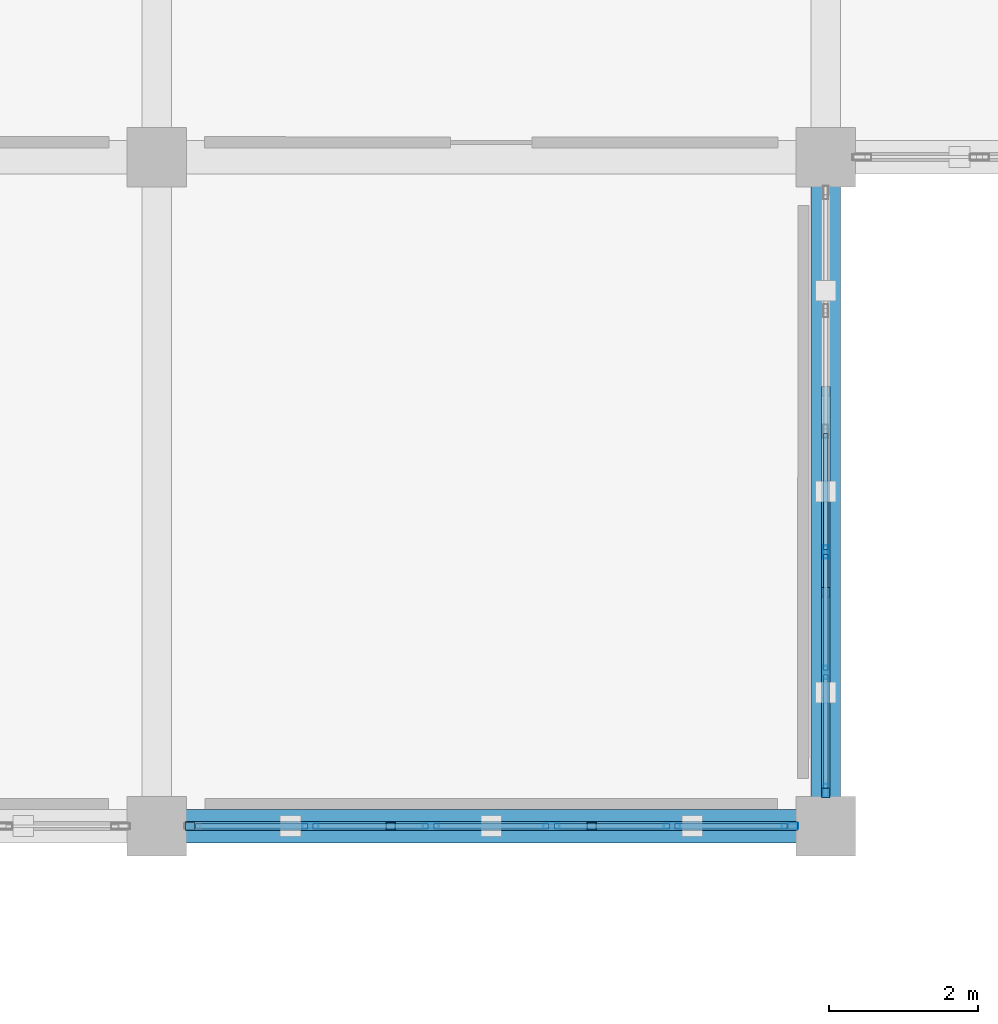
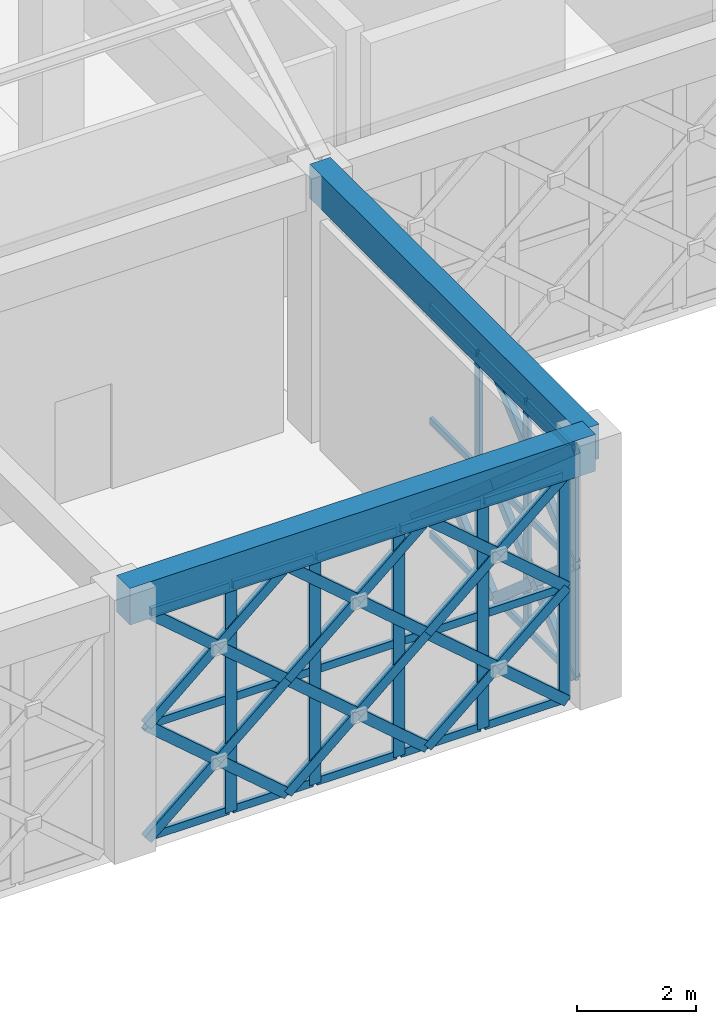
# One storey, part 49 of 86: 58 members, 2 beams, 2 elements without a shape of their own.
"""IFC4 building model written with IfcOpenShell, lengths in metres."""

from ifc_helpers import new_model, si_unit, direction, frame, origin, origin_2d, place, context, subcontext, project, spatial, rectangle, hollow_rectangle, extrude, material, material_profile, profile_set, type_object, element, aggregate, save


model = new_model("IFC4")

# Units and contexts
model_context = context("Model", 3, precision=1e-05, world=origin(), true_north=direction((0.0, 1.0)))
body_context = subcontext(model_context, "Body", "Model", "MODEL_VIEW")
ifc_project = project(units=[si_unit("LENGTHUNIT", "METRE"), si_unit("AREAUNIT", "SQUARE_METRE"), si_unit("VOLUMEUNIT", "CUBIC_METRE"), si_unit("PLANEANGLEUNIT", "RADIAN"), si_unit("MASSUNIT", "GRAM", prefix="KILO")], contexts=[model_context])

# Site, building, storey
site_placement = place(None, origin())
site = spatial("IfcSite", under=ifc_project, at=site_placement, CompositionType="ELEMENT")
building_placement = place(site_placement, origin())
building = spatial("IfcBuilding", under=site, at=building_placement, Name="Haizhuo Lancet Aquarium", CompositionType="ELEMENT")
storey_placement = place(building_placement, frame((0.0, 0.0, 16.199951171875)))
storey = spatial("IfcBuildingStorey", under=building, at=storey_placement, Name="L03", CompositionType="ELEMENT", Elevation=16.199951171875)

# Beams
ifc_material_1 = material(Name="Concrete C40/50", Category="concrete")
ifc_material_profile_1 = material_profile(ifc_material_1, rectangle(XDim=0.39990234375, YDim=0.699951171875, at=origin_2d()), Name="RC-BM 400x700")
ifc_profile_set_1 = profile_set([ifc_material_profile_1], Name="Concrete C40/50")
beam_type_1 = type_object("IfcBeamType", Name="BM-RC-400x700", PredefinedType="BEAM", material=ifc_profile_set_1)
beam_1_placement = place(storey_placement, frame((54.0, -36.0, 5.050048828125), z_axis=(0.0, 1.0, 0.0), x_axis=(-1.0, 0.0, 0.0)))
element("IfcBeam", 1, at=beam_1_placement, inside=storey, type_object=beam_type_1, Name="L03 V3 primary girder BM-L03-V3-021", PredefinedType="BEAM", context=body_context, shape_type="SweptSolid", body=[
    extrude(rectangle(XDim=0.39990234375, YDim=0.699951171875, at=origin_2d()), origin(), (0.0, 0.0, 1.0), 9.0),
])
ifc_material_profile_2 = material_profile(ifc_material_1, rectangle(XDim=0.449951171875, YDim=0.75, at=origin_2d()), Name="RC-BM 450x750")
ifc_profile_set_2 = profile_set([ifc_material_profile_2], Name="Concrete C40/50")
beam_type_2 = type_object("IfcBeamType", Name="BM-RC-450x750", PredefinedType="BEAM", material=ifc_profile_set_2)
beam_2_placement = place(storey_placement, frame((45.0, -36.0, 5.025146484375), z_axis=(1.0, 0.0, 0.0), x_axis=(0.0, 1.0, 0.0)))
element("IfcBeam", 2, at=beam_2_placement, inside=storey, type_object=beam_type_2, Name="L03 V3 primary girder BM-L03-V3-015", PredefinedType="BEAM", context=body_context, shape_type="SweptSolid", body=[
    extrude(rectangle(XDim=0.449951171875, YDim=0.75, at=origin_2d()), origin(), (0.0, 0.0, 1.0), 9.0),
])

# Curtain wall, members
ifc_material_2 = material(Name="Aluminium 6063-T6", Category="aluminium")
curtain_wall_type_1 = type_object("IfcCurtainWallType", Name="CWO-8110x4700", PredefinedType="NOTDEFINED", material=ifc_material_2)
curtain_wall_1_placement = place(storey_placement, origin())
curtain_wall_1 = element("IfcCurtainWall", 3, at=curtain_wall_1_placement, inside=storey, type_object=curtain_wall_type_1, Name="L03 curtain wall CW-V3-L03-076", PredefinedType="NOTDEFINED")
ifc_material_profile_3 = material_profile(ifc_material_2, hollow_rectangle(XDim=0.06494140625, YDim=0.179931640625, WallThickness=0.00390625, at=origin_2d()), Name="ALU-M 65x180x4")
ifc_profile_set_3 = profile_set([ifc_material_profile_3], Name="Aluminium 6063-T6")
member_type_1 = type_object("IfcMemberType", Name="CW-MUL-1", PredefinedType="MULLION", material=ifc_profile_set_3)
member_1_placement = place(storey_placement, frame((54.0, -32.31103515625, 0.0), z_axis=(0.0, 0.0, 1.0), x_axis=(1.0, 0.0, 0.0)))
member_1 = element("IfcMember", 4, at=member_1_placement, type_object=member_type_1, Name="CWO-81x47 mullion 4", PredefinedType="MULLION", context=body_context, shape_type="SweptSolid", body=[
    extrude(hollow_rectangle(XDim=0.06494140625, YDim=0.179931640625, WallThickness=0.00390625, at=origin_2d()), origin(), (0.0, 0.0, 1.0), 4.699951171875),
])
member_2_placement = place(storey_placement, frame((54.0, -33.93310546875, 0.0), z_axis=(0.0, 0.0, 1.0), x_axis=(1.0, 0.0, 0.0)))
member_2 = element("IfcMember", 5, at=member_2_placement, type_object=member_type_1, Name="CWO-81x47 mullion 5", PredefinedType="MULLION", context=body_context, shape_type="SweptSolid", body=[
    extrude(hollow_rectangle(XDim=0.06494140625, YDim=0.179931640625, WallThickness=0.00390625, at=origin_2d()), origin(), (0.0, 0.0, 1.0), 4.699951171875),
])
member_3_placement = place(storey_placement, frame((54.0, -35.52294921875, 0.0), z_axis=(0.0, 0.0, 1.0), x_axis=(1.0, 0.0, 0.0)))
member_3 = element("IfcMember", 6, at=member_3_placement, type_object=member_type_1, Name="CWO-81x47 mullion 6", PredefinedType="MULLION", context=body_context, shape_type="SweptSolid", body=[
    extrude(hollow_rectangle(XDim=0.06494140625, YDim=0.179931640625, WallThickness=0.00390625, at=origin_2d()), origin(), (0.0, 0.0, 1.0), 4.699951171875),
])

curtain_wall_type_2 = type_object("IfcCurtainWallType", Name="CWO-8110x4650", PredefinedType="NOTDEFINED", material=ifc_material_2)
curtain_wall_2_placement = place(storey_placement, origin())
curtain_wall_2 = element("IfcCurtainWall", 7, at=curtain_wall_2_placement, inside=storey, type_object=curtain_wall_type_2, Name="L03 curtain wall CW-V3-L03-077", PredefinedType="NOTDEFINED")
ifc_material_profile_4 = material_profile(ifc_material_2, hollow_rectangle(XDim=0.074951171875, YDim=0.219970703125, WallThickness=0.0048828125, at=origin_2d()), Name="ALU-M 75x220x5")
ifc_profile_set_4 = profile_set([ifc_material_profile_4], Name="Aluminium 6063-T6")
member_type_2 = type_object("IfcMemberType", Name="CW-MUL-2", PredefinedType="MULLION", material=ifc_profile_set_4)
member_4_placement = place(storey_placement, frame((53.51708984375, -36.0, 0.0), z_axis=(0.0, 0.0, 1.0), x_axis=(0.0, -1.0, 0.0)))
member_4 = element("IfcMember", 8, at=member_4_placement, type_object=member_type_2, Name="CWO-81x46 mullion 1", PredefinedType="MULLION", context=body_context, shape_type="SweptSolid", body=[
    extrude(hollow_rectangle(XDim=0.074951171875, YDim=0.219970703125, WallThickness=0.0048828125, at=origin_2d()), origin(), (0.0, 0.0, 1.0), 4.650146484375),
])
member_5_placement = place(storey_placement, frame((51.93310546875, -36.0, 0.0), z_axis=(0.0, 0.0, 1.0), x_axis=(0.0, -1.0, 0.0)))
member_5 = element("IfcMember", 9, at=member_5_placement, type_object=member_type_2, Name="CWO-81x46 mullion 2", PredefinedType="MULLION", context=body_context, shape_type="SweptSolid", body=[
    extrude(hollow_rectangle(XDim=0.074951171875, YDim=0.219970703125, WallThickness=0.0048828125, at=origin_2d()), origin(), (0.0, 0.0, 1.0), 4.650146484375),
])
member_6_placement = place(storey_placement, frame((50.31103515625, -36.0, 0.0), z_axis=(0.0, 0.0, 1.0), x_axis=(0.0, -1.0, 0.0)))
member_6 = element("IfcMember", 10, at=member_6_placement, type_object=member_type_2, Name="CWO-81x46 mullion 3", PredefinedType="MULLION", context=body_context, shape_type="SweptSolid", body=[
    extrude(hollow_rectangle(XDim=0.074951171875, YDim=0.219970703125, WallThickness=0.0048828125, at=origin_2d()), origin(), (0.0, 0.0, 1.0), 4.650146484375),
])
member_7_placement = place(storey_placement, frame((48.68896484375, -36.0, 0.0), z_axis=(0.0, 0.0, 1.0), x_axis=(0.0, -1.0, 0.0)))
member_7 = element("IfcMember", 11, at=member_7_placement, type_object=member_type_2, Name="CWO-81x46 mullion 4", PredefinedType="MULLION", context=body_context, shape_type="SweptSolid", body=[
    extrude(hollow_rectangle(XDim=0.074951171875, YDim=0.219970703125, WallThickness=0.0048828125, at=origin_2d()), origin(), (0.0, 0.0, 1.0), 4.650146484375),
])
member_8_placement = place(storey_placement, frame((47.06689453125, -36.0, 0.0), z_axis=(0.0, 0.0, 1.0), x_axis=(0.0, -1.0, 0.0)))
member_8 = element("IfcMember", 12, at=member_8_placement, type_object=member_type_2, Name="CWO-81x46 mullion 5", PredefinedType="MULLION", context=body_context, shape_type="SweptSolid", body=[
    extrude(hollow_rectangle(XDim=0.074951171875, YDim=0.219970703125, WallThickness=0.0048828125, at=origin_2d()), origin(), (0.0, 0.0, 1.0), 4.650146484375),
])

# Member
ifc_material_profile_5 = material_profile(ifc_material_2, hollow_rectangle(XDim=0.06494140625, YDim=0.139892578125, WallThickness=0.00390625, at=origin_2d()), Name="ALU-T 65x140x4")
ifc_profile_set_5 = profile_set([ifc_material_profile_5], Name="Aluminium 6063-T6")
member_type_3 = type_object("IfcMemberType", Name="CW-TRN-1", PredefinedType="NOTDEFINED", material=ifc_profile_set_5)
member_9_placement = place(storey_placement, frame((54.0, -30.720947265625, 0.031982421875), z_axis=(0.0, -1.0, 0.0), x_axis=(1.0, 0.0, 0.0)))
member_9 = element("IfcMember", 13, at=member_9_placement, type_object=member_type_3, Name="CWO-81x47 transom 3.1", ObjectType="TRANSOM", PredefinedType="USERDEFINED", context=body_context, shape_type="SweptSolid", body=[
    extrude(hollow_rectangle(XDim=0.06494140625, YDim=0.139892578125, WallThickness=0.00390625, at=origin_2d()), origin(), (0.0, 0.0, 1.0), 1.55810546875),
])

member_10_placement = place(storey_placement, frame((54.0, -30.720947265625, 2.35009765625), z_axis=(0.0, -1.0, 0.0), x_axis=(1.0, 0.0, 0.0)))
member_10 = element("IfcMember", 14, at=member_10_placement, type_object=member_type_3, Name="CWO-81x47 transom 3.2", ObjectType="TRANSOM", PredefinedType="USERDEFINED", context=body_context, shape_type="SweptSolid", body=[
    extrude(hollow_rectangle(XDim=0.06494140625, YDim=0.139892578125, WallThickness=0.00390625, at=origin_2d()), origin(), (0.0, 0.0, 1.0), 1.55810546875),
])

member_11_placement = place(storey_placement, frame((54.0, -30.720947265625, 4.6669921875), z_axis=(0.0, -1.0, 0.0), x_axis=(1.0, 0.0, 0.0)))
member_11 = element("IfcMember", 15, at=member_11_placement, type_object=member_type_3, Name="CWO-81x47 transom 3.3", ObjectType="TRANSOM", PredefinedType="USERDEFINED", context=body_context, shape_type="SweptSolid", body=[
    extrude(hollow_rectangle(XDim=0.06494140625, YDim=0.139892578125, WallThickness=0.00390625, at=origin_2d()), origin(), (0.0, 0.0, 1.0), 1.55810546875),
])

member_12_placement = place(storey_placement, frame((54.0, -32.343017578125, 0.031982421875), z_axis=(0.0, -1.0, 0.0), x_axis=(1.0, 0.0, 0.0)))
member_12 = element("IfcMember", 16, at=member_12_placement, type_object=member_type_3, Name="CWO-81x47 transom 4.1", ObjectType="TRANSOM", PredefinedType="USERDEFINED", context=body_context, shape_type="SweptSolid", body=[
    extrude(hollow_rectangle(XDim=0.06494140625, YDim=0.139892578125, WallThickness=0.00390625, at=origin_2d()), origin(), (0.0, 0.0, 1.0), 1.557861328125),
])

member_13_placement = place(storey_placement, frame((54.0, -32.343017578125, 2.35009765625), z_axis=(0.0, -1.0, 0.0), x_axis=(1.0, 0.0, 0.0)))
member_13 = element("IfcMember", 17, at=member_13_placement, type_object=member_type_3, Name="CWO-81x47 transom 4.2", ObjectType="TRANSOM", PredefinedType="USERDEFINED", context=body_context, shape_type="SweptSolid", body=[
    extrude(hollow_rectangle(XDim=0.06494140625, YDim=0.139892578125, WallThickness=0.00390625, at=origin_2d()), origin(), (0.0, 0.0, 1.0), 1.557861328125),
])

member_14_placement = place(storey_placement, frame((54.0, -32.343017578125, 4.6669921875), z_axis=(0.0, -1.0, 0.0), x_axis=(1.0, 0.0, 0.0)))
member_14 = element("IfcMember", 18, at=member_14_placement, type_object=member_type_3, Name="CWO-81x47 transom 4.3", ObjectType="TRANSOM", PredefinedType="USERDEFINED", context=body_context, shape_type="SweptSolid", body=[
    extrude(hollow_rectangle(XDim=0.06494140625, YDim=0.139892578125, WallThickness=0.00390625, at=origin_2d()), origin(), (0.0, 0.0, 1.0), 1.557861328125),
])

member_15_placement = place(storey_placement, frame((54.0, -33.965087890625, 0.031982421875), z_axis=(0.0, -1.0, 0.0), x_axis=(1.0, 0.0, 0.0)))
member_15 = element("IfcMember", 19, at=member_15_placement, type_object=member_type_3, Name="CWO-81x47 transom 5.1", ObjectType="TRANSOM", PredefinedType="USERDEFINED", context=body_context, shape_type="SweptSolid", body=[
    extrude(hollow_rectangle(XDim=0.06494140625, YDim=0.139892578125, WallThickness=0.00390625, at=origin_2d()), origin(), (0.0, 0.0, 1.0), 1.52490234375),
])

member_16_placement = place(storey_placement, frame((54.0, -33.965087890625, 2.35009765625), z_axis=(0.0, -1.0, 0.0), x_axis=(1.0, 0.0, 0.0)))
member_16 = element("IfcMember", 20, at=member_16_placement, type_object=member_type_3, Name="CWO-81x47 transom 5.2", ObjectType="TRANSOM", PredefinedType="USERDEFINED", context=body_context, shape_type="SweptSolid", body=[
    extrude(hollow_rectangle(XDim=0.06494140625, YDim=0.139892578125, WallThickness=0.00390625, at=origin_2d()), origin(), (0.0, 0.0, 1.0), 1.52490234375),
])

member_17_placement = place(storey_placement, frame((54.0, -33.965087890625, 4.6669921875), z_axis=(0.0, -1.0, 0.0), x_axis=(1.0, 0.0, 0.0)))
member_17 = element("IfcMember", 21, at=member_17_placement, type_object=member_type_3, Name="CWO-81x47 transom 5.3", ObjectType="TRANSOM", PredefinedType="USERDEFINED", context=body_context, shape_type="SweptSolid", body=[
    extrude(hollow_rectangle(XDim=0.06494140625, YDim=0.139892578125, WallThickness=0.00390625, at=origin_2d()), origin(), (0.0, 0.0, 1.0), 1.52490234375),
])

aggregate(curtain_wall_1, [member_1, member_2, member_3, member_9, member_10, member_11, member_12, member_13, member_14, member_15, member_16, member_17])

ifc_material_profile_6 = material_profile(ifc_material_2, hollow_rectangle(XDim=0.074951171875, YDim=0.159912109375, WallThickness=0.00390625, at=origin_2d()), Name="ALU-T 75x160x4")
ifc_profile_set_6 = profile_set([ifc_material_profile_6], Name="Aluminium 6063-T6")
member_type_4 = type_object("IfcMemberType", Name="CW-TRN-2", PredefinedType="NOTDEFINED", material=ifc_profile_set_6)
member_18_placement = place(storey_placement, frame((53.47998046875, -36.0, 0.0380859375), z_axis=(-1.0, 0.0, 0.0), x_axis=(0.0, -1.0, 0.0)))
member_18 = element("IfcMember", 22, at=member_18_placement, type_object=member_type_4, Name="CWO-81x46 transom 1.1", ObjectType="TRANSOM", PredefinedType="USERDEFINED", context=body_context, shape_type="SweptSolid", body=[
    extrude(hollow_rectangle(XDim=0.074951171875, YDim=0.159912109375, WallThickness=0.00390625, at=origin_2d()), origin(), (0.0, 0.0, 1.0), 1.509033203125),
])

member_19_placement = place(storey_placement, frame((53.47998046875, -36.0, 2.324951171875), z_axis=(-1.0, 0.0, 0.0), x_axis=(0.0, -1.0, 0.0)))
member_19 = element("IfcMember", 23, at=member_19_placement, type_object=member_type_4, Name="CWO-81x46 transom 1.2", ObjectType="TRANSOM", PredefinedType="USERDEFINED", context=body_context, shape_type="SweptSolid", body=[
    extrude(hollow_rectangle(XDim=0.074951171875, YDim=0.159912109375, WallThickness=0.00390625, at=origin_2d()), origin(), (0.0, 0.0, 1.0), 1.509033203125),
])

member_20_placement = place(storey_placement, frame((53.47998046875, -36.0, 4.612060546875), z_axis=(-1.0, 0.0, 0.0), x_axis=(0.0, -1.0, 0.0)))
member_20 = element("IfcMember", 24, at=member_20_placement, type_object=member_type_4, Name="CWO-81x46 transom 1.3", ObjectType="TRANSOM", PredefinedType="USERDEFINED", context=body_context, shape_type="SweptSolid", body=[
    extrude(hollow_rectangle(XDim=0.074951171875, YDim=0.159912109375, WallThickness=0.00390625, at=origin_2d()), origin(), (0.0, 0.0, 1.0), 1.509033203125),
])

member_21_placement = place(storey_placement, frame((51.89501953125, -36.0, 0.0380859375), z_axis=(-1.0, 0.0, 0.0), x_axis=(0.0, -1.0, 0.0)))
member_21 = element("IfcMember", 25, at=member_21_placement, type_object=member_type_4, Name="CWO-81x46 transom 2.1", ObjectType="TRANSOM", PredefinedType="USERDEFINED", context=body_context, shape_type="SweptSolid", body=[
    extrude(hollow_rectangle(XDim=0.074951171875, YDim=0.159912109375, WallThickness=0.00390625, at=origin_2d()), origin(), (0.0, 0.0, 1.0), 1.5458984375),
])

member_22_placement = place(storey_placement, frame((51.89501953125, -36.0, 2.324951171875), z_axis=(-1.0, 0.0, 0.0), x_axis=(0.0, -1.0, 0.0)))
member_22 = element("IfcMember", 26, at=member_22_placement, type_object=member_type_4, Name="CWO-81x46 transom 2.2", ObjectType="TRANSOM", PredefinedType="USERDEFINED", context=body_context, shape_type="SweptSolid", body=[
    extrude(hollow_rectangle(XDim=0.074951171875, YDim=0.159912109375, WallThickness=0.00390625, at=origin_2d()), origin(), (0.0, 0.0, 1.0), 1.5458984375),
])

member_23_placement = place(storey_placement, frame((51.89501953125, -36.0, 4.612060546875), z_axis=(-1.0, 0.0, 0.0), x_axis=(0.0, -1.0, 0.0)))
member_23 = element("IfcMember", 27, at=member_23_placement, type_object=member_type_4, Name="CWO-81x46 transom 2.3", ObjectType="TRANSOM", PredefinedType="USERDEFINED", context=body_context, shape_type="SweptSolid", body=[
    extrude(hollow_rectangle(XDim=0.074951171875, YDim=0.159912109375, WallThickness=0.00390625, at=origin_2d()), origin(), (0.0, 0.0, 1.0), 1.5458984375),
])

member_24_placement = place(storey_placement, frame((50.27294921875, -36.0, 0.0380859375), z_axis=(-1.0, 0.0, 0.0), x_axis=(0.0, -1.0, 0.0)))
member_24 = element("IfcMember", 28, at=member_24_placement, type_object=member_type_4, Name="CWO-81x46 transom 3.1", ObjectType="TRANSOM", PredefinedType="USERDEFINED", context=body_context, shape_type="SweptSolid", body=[
    extrude(hollow_rectangle(XDim=0.074951171875, YDim=0.159912109375, WallThickness=0.00390625, at=origin_2d()), origin(), (0.0, 0.0, 1.0), 1.5458984375),
])

member_25_placement = place(storey_placement, frame((50.27294921875, -36.0, 2.324951171875), z_axis=(-1.0, 0.0, 0.0), x_axis=(0.0, -1.0, 0.0)))
member_25 = element("IfcMember", 29, at=member_25_placement, type_object=member_type_4, Name="CWO-81x46 transom 3.2", ObjectType="TRANSOM", PredefinedType="USERDEFINED", context=body_context, shape_type="SweptSolid", body=[
    extrude(hollow_rectangle(XDim=0.074951171875, YDim=0.159912109375, WallThickness=0.00390625, at=origin_2d()), origin(), (0.0, 0.0, 1.0), 1.5458984375),
])

member_26_placement = place(storey_placement, frame((50.27294921875, -36.0, 4.612060546875), z_axis=(-1.0, 0.0, 0.0), x_axis=(0.0, -1.0, 0.0)))
member_26 = element("IfcMember", 30, at=member_26_placement, type_object=member_type_4, Name="CWO-81x46 transom 3.3", ObjectType="TRANSOM", PredefinedType="USERDEFINED", context=body_context, shape_type="SweptSolid", body=[
    extrude(hollow_rectangle(XDim=0.074951171875, YDim=0.159912109375, WallThickness=0.00390625, at=origin_2d()), origin(), (0.0, 0.0, 1.0), 1.5458984375),
])

member_27_placement = place(storey_placement, frame((48.65087890625, -36.0, 0.0380859375), z_axis=(-1.0, 0.0, 0.0), x_axis=(0.0, -1.0, 0.0)))
member_27 = element("IfcMember", 31, at=member_27_placement, type_object=member_type_4, Name="CWO-81x46 transom 4.1", ObjectType="TRANSOM", PredefinedType="USERDEFINED", context=body_context, shape_type="SweptSolid", body=[
    extrude(hollow_rectangle(XDim=0.074951171875, YDim=0.159912109375, WallThickness=0.00390625, at=origin_2d()), origin(), (0.0, 0.0, 1.0), 1.5458984375),
])

member_28_placement = place(storey_placement, frame((48.65087890625, -36.0, 2.324951171875), z_axis=(-1.0, 0.0, 0.0), x_axis=(0.0, -1.0, 0.0)))
member_28 = element("IfcMember", 32, at=member_28_placement, type_object=member_type_4, Name="CWO-81x46 transom 4.2", ObjectType="TRANSOM", PredefinedType="USERDEFINED", context=body_context, shape_type="SweptSolid", body=[
    extrude(hollow_rectangle(XDim=0.074951171875, YDim=0.159912109375, WallThickness=0.00390625, at=origin_2d()), origin(), (0.0, 0.0, 1.0), 1.5458984375),
])

member_29_placement = place(storey_placement, frame((48.65087890625, -36.0, 4.612060546875), z_axis=(-1.0, 0.0, 0.0), x_axis=(0.0, -1.0, 0.0)))
member_29 = element("IfcMember", 33, at=member_29_placement, type_object=member_type_4, Name="CWO-81x46 transom 4.3", ObjectType="TRANSOM", PredefinedType="USERDEFINED", context=body_context, shape_type="SweptSolid", body=[
    extrude(hollow_rectangle(XDim=0.074951171875, YDim=0.159912109375, WallThickness=0.00390625, at=origin_2d()), origin(), (0.0, 0.0, 1.0), 1.5458984375),
])

member_30_placement = place(storey_placement, frame((47.029052734375, -36.0, 0.0380859375), z_axis=(-1.0, 0.0, 0.0), x_axis=(0.0, -1.0, 0.0)))
member_30 = element("IfcMember", 34, at=member_30_placement, type_object=member_type_4, Name="CWO-81x46 transom 5.1", ObjectType="TRANSOM", PredefinedType="USERDEFINED", context=body_context, shape_type="SweptSolid", body=[
    extrude(hollow_rectangle(XDim=0.074951171875, YDim=0.159912109375, WallThickness=0.00390625, at=origin_2d()), origin(), (0.0, 0.0, 1.0), 1.509033203125),
])

member_31_placement = place(storey_placement, frame((47.029052734375, -36.0, 2.324951171875), z_axis=(-1.0, 0.0, 0.0), x_axis=(0.0, -1.0, 0.0)))
member_31 = element("IfcMember", 35, at=member_31_placement, type_object=member_type_4, Name="CWO-81x46 transom 5.2", ObjectType="TRANSOM", PredefinedType="USERDEFINED", context=body_context, shape_type="SweptSolid", body=[
    extrude(hollow_rectangle(XDim=0.074951171875, YDim=0.159912109375, WallThickness=0.00390625, at=origin_2d()), origin(), (0.0, 0.0, 1.0), 1.509033203125),
])

member_32_placement = place(storey_placement, frame((47.029052734375, -36.0, 4.612060546875), z_axis=(-1.0, 0.0, 0.0), x_axis=(0.0, -1.0, 0.0)))
member_32 = element("IfcMember", 36, at=member_32_placement, type_object=member_type_4, Name="CWO-81x46 transom 5.3", ObjectType="TRANSOM", PredefinedType="USERDEFINED", context=body_context, shape_type="SweptSolid", body=[
    extrude(hollow_rectangle(XDim=0.074951171875, YDim=0.159912109375, WallThickness=0.00390625, at=origin_2d()), origin(), (0.0, 0.0, 1.0), 1.509033203125),
])

aggregate(curtain_wall_2, [member_4, member_5, member_6, member_7, member_8, member_18, member_19, member_20, member_21, member_22, member_23, member_24, member_25, member_26, member_27, member_28, member_29, member_30, member_31, member_32])

# Members
ifc_material_3 = material(Name="Steel S355", Category="steel")
ifc_material_profile_7 = material_profile(ifc_material_3, hollow_rectangle(XDim=0.1201171875, YDim=0.199951171875, WallThickness=0.008056640625, at=origin_2d()), Name="RHS 120x200x8")
ifc_profile_set_7 = profile_set([ifc_material_profile_7], Name="Steel S355")
member_type_5 = type_object("IfcMemberType", Name="MEM-LB-RHS120x200", PredefinedType="BRACE", material=ifc_profile_set_7)
member_33_placement = place(storey_placement, frame((54.0, -30.14794921875, 0.0), z_axis=(0.0, -0.754784478057, 0.655972858954), x_axis=(1.0, 0.0, 0.0)))
element("IfcMember", 37, at=member_33_placement, inside=storey, type_object=member_type_5, Name="Gothic lancet continuous diagonal brace CW-V3-L03-076 3A", PredefinedType="BRACE", context=body_context, shape_type="SweptSolid", body=[
    extrude(hollow_rectangle(XDim=0.1201171875, YDim=0.199951171875, WallThickness=0.008056640625, at=origin_2d()), origin(), (0.0, 0.0, 1.0), 3.58251953125),
])
member_34_placement = place(storey_placement, frame((54.0, -32.85205078125, 0.0), z_axis=(0.0, 0.754784478057, 0.655972858954), x_axis=(-1.0, 0.0, 0.0)))
element("IfcMember", 38, at=member_34_placement, inside=storey, type_object=member_type_5, Name="Gothic lancet split diagonal brace CW-V3-L03-076 3B1", PredefinedType="BRACE", context=body_context, shape_type="SweptSolid", body=[
    extrude(hollow_rectangle(XDim=0.1201171875, YDim=0.199951171875, WallThickness=0.008056640625, at=origin_2d()), origin(), (0.0, 0.0, 1.0), 1.791259765625),
])
member_35_placement = place(storey_placement, frame((54.0, -32.85205078125, 0.0), z_axis=(0.0, -0.754637805349, 0.656141587417), x_axis=(1.0, 0.0, 0.0)))
element("IfcMember", 39, at=member_35_placement, inside=storey, type_object=member_type_5, Name="Gothic lancet continuous diagonal brace CW-V3-L03-076 5A", PredefinedType="BRACE", context=body_context, shape_type="SweptSolid", body=[
    extrude(hollow_rectangle(XDim=0.1201171875, YDim=0.199951171875, WallThickness=0.008056640625, at=origin_2d()), origin(), (0.0, 0.0, 1.0), 3.581787109375),
])
member_36_placement = place(storey_placement, frame((54.0, -35.554931640625, 0.0), z_axis=(0.0, 0.754784478057, 0.655972858954), x_axis=(-1.0, 0.0, 0.0)))
element("IfcMember", 40, at=member_36_placement, inside=storey, type_object=member_type_5, Name="Gothic lancet split diagonal brace CW-V3-L03-076 5B1", PredefinedType="BRACE", context=body_context, shape_type="SweptSolid", body=[
    extrude(hollow_rectangle(XDim=0.1201171875, YDim=0.199951171875, WallThickness=0.008056640625, at=origin_2d()), origin(), (0.0, 0.0, 1.0), 1.791259765625),
])
member_37_placement = place(storey_placement, frame((54.0, -34.202880859375, 1.175048828125), z_axis=(0.0, 0.754491019428, 0.656310369873), x_axis=(-1.0, 0.0, 0.0)))
element("IfcMember", 41, at=member_37_placement, inside=storey, type_object=member_type_5, Name="Gothic lancet split diagonal brace CW-V3-L03-076 5B2", PredefinedType="BRACE", context=body_context, shape_type="SweptSolid", body=[
    extrude(hollow_rectangle(XDim=0.1201171875, YDim=0.199951171875, WallThickness=0.008056640625, at=origin_2d()), origin(), (0.0, 0.0, 1.0), 1.790283203125),
])
member_38_placement = place(storey_placement, frame((54.0, -32.85205078125, 2.35009765625), z_axis=(0.0, -0.754671556952, 0.6561027672), x_axis=(1.0, 0.0, 0.0)))
element("IfcMember", 42, at=member_38_placement, inside=storey, type_object=member_type_5, Name="Gothic lancet continuous diagonal brace CW-V3-L03-076 6A", PredefinedType="BRACE", context=body_context, shape_type="SweptSolid", body=[
    extrude(hollow_rectangle(XDim=0.1201171875, YDim=0.199951171875, WallThickness=0.008056640625, at=origin_2d()), origin(), (0.0, 0.0, 1.0), 3.58154296875),
])
member_39_placement = place(storey_placement, frame((54.0, -35.554931640625, 2.35009765625), z_axis=(0.0, 0.754784478057, 0.655972858954), x_axis=(-1.0, 0.0, 0.0)))
element("IfcMember", 43, at=member_39_placement, inside=storey, type_object=member_type_5, Name="Gothic lancet split diagonal brace CW-V3-L03-076 6B1", PredefinedType="BRACE", context=body_context, shape_type="SweptSolid", body=[
    extrude(hollow_rectangle(XDim=0.1201171875, YDim=0.199951171875, WallThickness=0.008056640625, at=origin_2d()), origin(), (0.0, 0.0, 1.0), 1.791259765625),
])
member_40_placement = place(storey_placement, frame((54.0, -34.202880859375, 3.525146484375), z_axis=(0.0, 0.754558545257, 0.656232734462), x_axis=(-1.0, 0.0, 0.0)))
element("IfcMember", 44, at=member_40_placement, inside=storey, type_object=member_type_5, Name="Gothic lancet split diagonal brace CW-V3-L03-076 6B2", PredefinedType="BRACE", context=body_context, shape_type="SweptSolid", body=[
    extrude(hollow_rectangle(XDim=0.1201171875, YDim=0.199951171875, WallThickness=0.008056640625, at=origin_2d()), origin(), (0.0, 0.0, 1.0), 1.790283203125),
])
member_41_placement = place(storey_placement, frame((53.554931640625, -36.0, 0.0), z_axis=(-0.758119517235, 0.0, 0.652115632068), x_axis=(0.0, -1.0, 0.0)))
element("IfcMember", 45, at=member_41_placement, inside=storey, type_object=member_type_5, Name="Gothic lancet continuous diagonal brace CW-V3-L03-077 1A", PredefinedType="BRACE", context=body_context, shape_type="SweptSolid", body=[
    extrude(hollow_rectangle(XDim=0.1201171875, YDim=0.199951171875, WallThickness=0.008056640625, at=origin_2d()), origin(), (0.0, 0.0, 1.0), 3.565185546875),
])
member_42_placement = place(storey_placement, frame((50.85205078125, -36.0, 0.0), z_axis=(0.758075457988, 0.0, 0.652166849814), x_axis=(0.0, 1.0, 0.0)))
element("IfcMember", 46, at=member_42_placement, inside=storey, type_object=member_type_5, Name="Gothic lancet split diagonal brace CW-V3-L03-077 1B1", PredefinedType="BRACE", context=body_context, shape_type="SweptSolid", body=[
    extrude(hollow_rectangle(XDim=0.1201171875, YDim=0.199951171875, WallThickness=0.008056640625, at=origin_2d()), origin(), (0.0, 0.0, 1.0), 1.781982421875),
])
member_43_placement = place(storey_placement, frame((52.202880859375, -36.0, 1.162109375), z_axis=(0.758163538361, 0.0, 0.652064451646), x_axis=(0.0, 1.0, 0.0)))
element("IfcMember", 47, at=member_43_placement, inside=storey, type_object=member_type_5, Name="Gothic lancet split diagonal brace CW-V3-L03-077 1B2", PredefinedType="BRACE", context=body_context, shape_type="SweptSolid", body=[
    extrude(hollow_rectangle(XDim=0.1201171875, YDim=0.199951171875, WallThickness=0.008056640625, at=origin_2d()), origin(), (0.0, 0.0, 1.0), 1.783203125),
])
member_44_placement = place(storey_placement, frame((53.554931640625, -36.0, 2.324951171875), z_axis=(-0.758085663481, 0.0, 0.652154986812), x_axis=(0.0, -1.0, 0.0)))
element("IfcMember", 48, at=member_44_placement, inside=storey, type_object=member_type_5, Name="Gothic lancet continuous diagonal brace CW-V3-L03-077 2A", PredefinedType="BRACE", context=body_context, shape_type="SweptSolid", body=[
    extrude(hollow_rectangle(XDim=0.1201171875, YDim=0.199951171875, WallThickness=0.008056640625, at=origin_2d()), origin(), (0.0, 0.0, 1.0), 3.5654296875),
])
member_45_placement = place(storey_placement, frame((50.85205078125, -36.0, 2.324951171875), z_axis=(0.757804543333, 0.0, 0.652481627407), x_axis=(0.0, 1.0, 0.0)))
element("IfcMember", 49, at=member_45_placement, inside=storey, type_object=member_type_5, Name="Gothic lancet split diagonal brace CW-V3-L03-077 2B1", PredefinedType="BRACE", context=body_context, shape_type="SweptSolid", body=[
    extrude(hollow_rectangle(XDim=0.1201171875, YDim=0.199951171875, WallThickness=0.008056640625, at=origin_2d()), origin(), (0.0, 0.0, 1.0), 1.782470703125),
])
member_46_placement = place(storey_placement, frame((52.202880859375, -36.0, 3.488037109375), z_axis=(0.758366597375, 0.0, 0.651828277989), x_axis=(0.0, 1.0, 0.0)))
element("IfcMember", 50, at=member_46_placement, inside=storey, type_object=member_type_5, Name="Gothic lancet split diagonal brace CW-V3-L03-077 2B2", PredefinedType="BRACE", context=body_context, shape_type="SweptSolid", body=[
    extrude(hollow_rectangle(XDim=0.1201171875, YDim=0.199951171875, WallThickness=0.008056640625, at=origin_2d()), origin(), (0.0, 0.0, 1.0), 1.782958984375),
])
member_47_placement = place(storey_placement, frame((50.85205078125, -36.0, 0.0), z_axis=(-0.758265063468, 0.0, 0.651946388535), x_axis=(0.0, -1.0, 0.0)))
element("IfcMember", 51, at=member_47_placement, inside=storey, type_object=member_type_5, Name="Gothic lancet continuous diagonal brace CW-V3-L03-077 3A", PredefinedType="BRACE", context=body_context, shape_type="SweptSolid", body=[
    extrude(hollow_rectangle(XDim=0.1201171875, YDim=0.199951171875, WallThickness=0.008056640625, at=origin_2d()), origin(), (0.0, 0.0, 1.0), 3.566162109375),
])
member_48_placement = place(storey_placement, frame((48.14794921875, -36.0, 0.0), z_axis=(0.758366597375, 0.0, 0.651828277989), x_axis=(0.0, 1.0, 0.0)))
element("IfcMember", 52, at=member_48_placement, inside=storey, type_object=member_type_5, Name="Gothic lancet split diagonal brace CW-V3-L03-077 3B1", PredefinedType="BRACE", context=body_context, shape_type="SweptSolid", body=[
    extrude(hollow_rectangle(XDim=0.1201171875, YDim=0.199951171875, WallThickness=0.008056640625, at=origin_2d()), origin(), (0.0, 0.0, 1.0), 1.782958984375),
])
member_49_placement = place(storey_placement, frame((49.5, -36.0, 1.162109375), z_axis=(0.758163538361, 0.0, 0.652064451646), x_axis=(0.0, 1.0, 0.0)))
element("IfcMember", 53, at=member_49_placement, inside=storey, type_object=member_type_5, Name="Gothic lancet split diagonal brace CW-V3-L03-077 3B2", PredefinedType="BRACE", context=body_context, shape_type="SweptSolid", body=[
    extrude(hollow_rectangle(XDim=0.1201171875, YDim=0.199951171875, WallThickness=0.008056640625, at=origin_2d()), origin(), (0.0, 0.0, 1.0), 1.783203125),
])
member_50_placement = place(storey_placement, frame((50.85205078125, -36.0, 2.324951171875), z_axis=(-0.758231220788, 0.0, 0.651985748175), x_axis=(0.0, -1.0, 0.0)))
element("IfcMember", 54, at=member_50_placement, inside=storey, type_object=member_type_5, Name="Gothic lancet continuous diagonal brace CW-V3-L03-077 4A", PredefinedType="BRACE", context=body_context, shape_type="SweptSolid", body=[
    extrude(hollow_rectangle(XDim=0.1201171875, YDim=0.199951171875, WallThickness=0.008056640625, at=origin_2d()), origin(), (0.0, 0.0, 1.0), 3.56640625),
])
member_51_placement = place(storey_placement, frame((48.14794921875, -36.0, 2.324951171875), z_axis=(0.75809585985, 0.0, 0.652143134042), x_axis=(0.0, 1.0, 0.0)))
element("IfcMember", 55, at=member_51_placement, inside=storey, type_object=member_type_5, Name="Gothic lancet split diagonal brace CW-V3-L03-077 4B1", PredefinedType="BRACE", context=body_context, shape_type="SweptSolid", body=[
    extrude(hollow_rectangle(XDim=0.1201171875, YDim=0.199951171875, WallThickness=0.008056640625, at=origin_2d()), origin(), (0.0, 0.0, 1.0), 1.783447265625),
])
member_52_placement = place(storey_placement, frame((49.5, -36.0, 3.488037109375), z_axis=(0.758366597375, 0.0, 0.651828277989), x_axis=(0.0, 1.0, 0.0)))
element("IfcMember", 56, at=member_52_placement, inside=storey, type_object=member_type_5, Name="Gothic lancet split diagonal brace CW-V3-L03-077 4B2", PredefinedType="BRACE", context=body_context, shape_type="SweptSolid", body=[
    extrude(hollow_rectangle(XDim=0.1201171875, YDim=0.199951171875, WallThickness=0.008056640625, at=origin_2d()), origin(), (0.0, 0.0, 1.0), 1.782958984375),
])
member_53_placement = place(storey_placement, frame((48.14794921875, -36.0, 0.0), z_axis=(-0.758119517235, 0.0, 0.652115632068), x_axis=(0.0, -1.0, 0.0)))
element("IfcMember", 57, at=member_53_placement, inside=storey, type_object=member_type_5, Name="Gothic lancet continuous diagonal brace CW-V3-L03-077 5A", PredefinedType="BRACE", context=body_context, shape_type="SweptSolid", body=[
    extrude(hollow_rectangle(XDim=0.1201171875, YDim=0.199951171875, WallThickness=0.008056640625, at=origin_2d()), origin(), (0.0, 0.0, 1.0), 3.565185546875),
])
member_54_placement = place(storey_placement, frame((45.445068359375, -36.0, 0.0), z_axis=(0.758366597375, 0.0, 0.651828277989), x_axis=(0.0, 1.0, 0.0)))
element("IfcMember", 58, at=member_54_placement, inside=storey, type_object=member_type_5, Name="Gothic lancet split diagonal brace CW-V3-L03-077 5B1", PredefinedType="BRACE", context=body_context, shape_type="SweptSolid", body=[
    extrude(hollow_rectangle(XDim=0.1201171875, YDim=0.199951171875, WallThickness=0.008056640625, at=origin_2d()), origin(), (0.0, 0.0, 1.0), 1.782958984375),
])
member_55_placement = place(storey_placement, frame((46.797119140625, -36.0, 1.162109375), z_axis=(0.757872266095, 0.0, 0.65240296465), x_axis=(0.0, 1.0, 0.0)))
element("IfcMember", 59, at=member_55_placement, inside=storey, type_object=member_type_5, Name="Gothic lancet split diagonal brace CW-V3-L03-077 5B2", PredefinedType="BRACE", context=body_context, shape_type="SweptSolid", body=[
    extrude(hollow_rectangle(XDim=0.1201171875, YDim=0.199951171875, WallThickness=0.008056640625, at=origin_2d()), origin(), (0.0, 0.0, 1.0), 1.782470703125),
])
member_56_placement = place(storey_placement, frame((48.14794921875, -36.0, 2.324951171875), z_axis=(-0.758085663481, 0.0, 0.652154986812), x_axis=(0.0, -1.0, 0.0)))
element("IfcMember", 60, at=member_56_placement, inside=storey, type_object=member_type_5, Name="Gothic lancet continuous diagonal brace CW-V3-L03-077 6A", PredefinedType="BRACE", context=body_context, shape_type="SweptSolid", body=[
    extrude(hollow_rectangle(XDim=0.1201171875, YDim=0.199951171875, WallThickness=0.008056640625, at=origin_2d()), origin(), (0.0, 0.0, 1.0), 3.5654296875),
])
member_57_placement = place(storey_placement, frame((45.445068359375, -36.0, 2.324951171875), z_axis=(0.75809585985, 0.0, 0.652143134042), x_axis=(0.0, 1.0, 0.0)))
element("IfcMember", 61, at=member_57_placement, inside=storey, type_object=member_type_5, Name="Gothic lancet split diagonal brace CW-V3-L03-077 6B1", PredefinedType="BRACE", context=body_context, shape_type="SweptSolid", body=[
    extrude(hollow_rectangle(XDim=0.1201171875, YDim=0.199951171875, WallThickness=0.008056640625, at=origin_2d()), origin(), (0.0, 0.0, 1.0), 1.783447265625),
])
member_58_placement = place(storey_placement, frame((46.797119140625, -36.0, 3.488037109375), z_axis=(0.758075457988, 0.0, 0.652166849814), x_axis=(0.0, 1.0, 0.0)))
element("IfcMember", 62, at=member_58_placement, inside=storey, type_object=member_type_5, Name="Gothic lancet split diagonal brace CW-V3-L03-077 6B2", PredefinedType="BRACE", context=body_context, shape_type="SweptSolid", body=[
    extrude(hollow_rectangle(XDim=0.1201171875, YDim=0.199951171875, WallThickness=0.008056640625, at=origin_2d()), origin(), (0.0, 0.0, 1.0), 1.781982421875),
])

save(model, "model.ifc")
